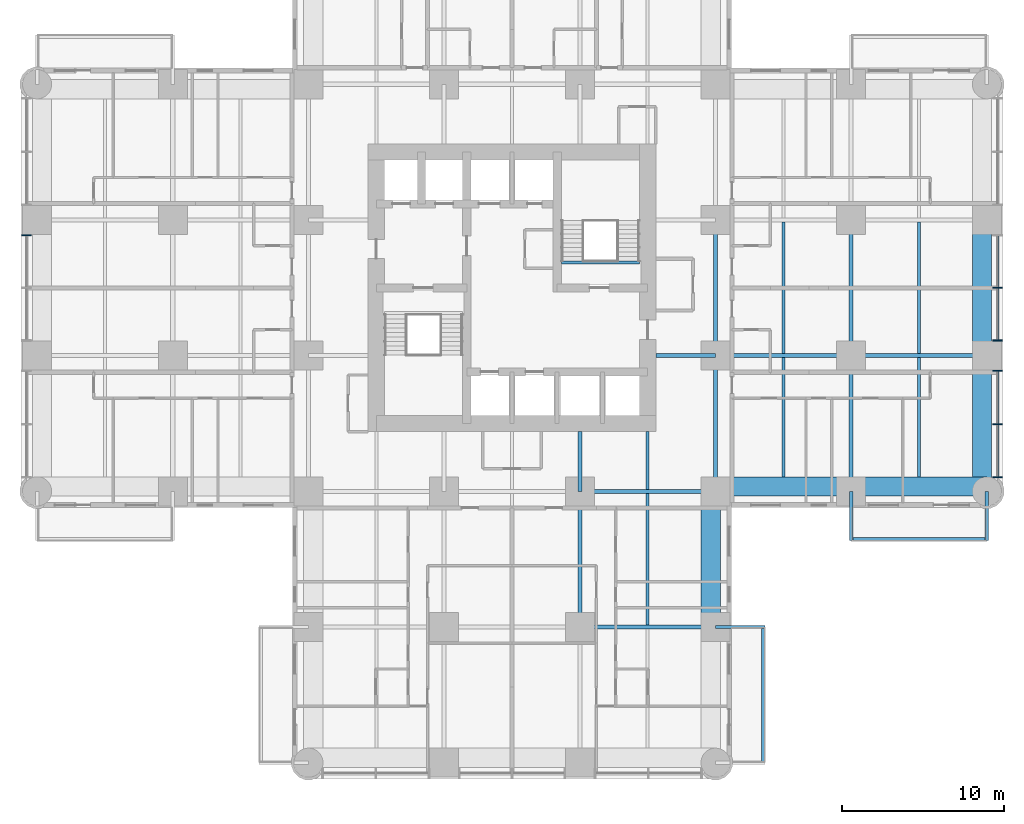
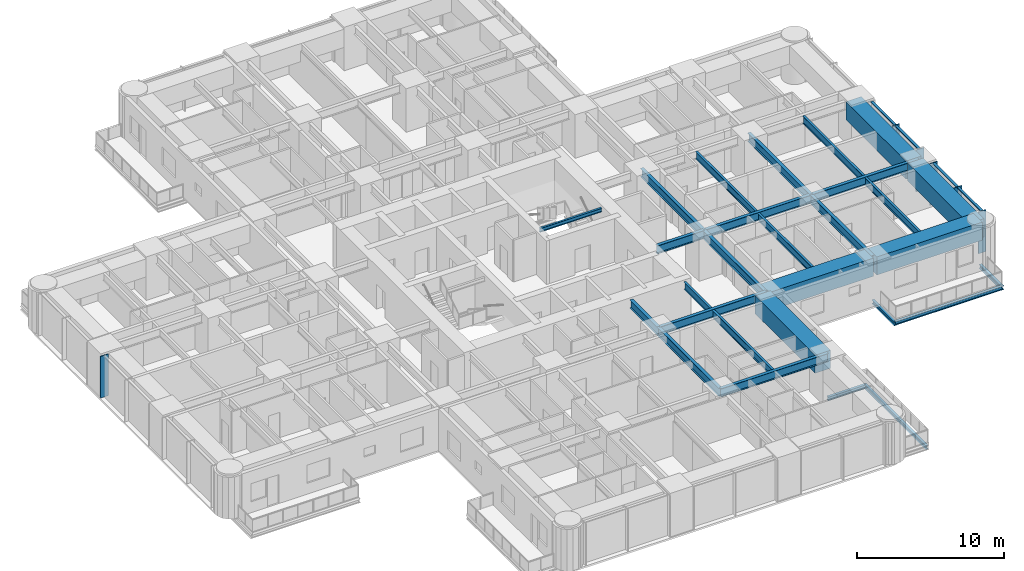
# One storey, part 3 of 17: 28 beams, 10 members, 2 elements without a shape of their own.
"""IFC4 building model written with IfcOpenShell, lengths in metres."""

from ifc_helpers import new_model, si_unit, direction, frame, origin, origin_2d, place, context, subcontext, project, spatial, rectangle, i_section, extrude, material, material_profile, profile_set, type_object, element, aggregate, save


model = new_model("IFC4")

# Units and contexts
model_context = context("Model", 3, precision=1e-05, world=origin(), true_north=direction((0.0, 1.0)))
body_context = subcontext(model_context, "Body", "Model", "MODEL_VIEW")
ifc_project = project(units=[si_unit("LENGTHUNIT", "METRE"), si_unit("AREAUNIT", "SQUARE_METRE"), si_unit("VOLUMEUNIT", "CUBIC_METRE"), si_unit("PLANEANGLEUNIT", "RADIAN"), si_unit("MASSUNIT", "GRAM", prefix="KILO")], contexts=[model_context])

# Site, building, storey
site_placement = place(None, origin())
site = spatial("IfcSite", under=ifc_project, at=site_placement, CompositionType="ELEMENT")
building_placement = place(site_placement, origin())
building = spatial("IfcBuilding", under=site, at=building_placement, Name="Torre Alcanfor", CompositionType="ELEMENT")
storey_placement = place(building_placement, frame((0.0, 0.0, 88.5)))
storey = spatial("IfcBuildingStorey", under=building, at=storey_placement, Name="L22", CompositionType="ELEMENT", Elevation=88.5)

# Beams
ifc_material_1 = material(Name="Steel ASTM A992 Grade 50", Category="steel")
ifc_material_profile_1 = material_profile(ifc_material_1, i_section(OverallWidth=0.205322265625, OverallDepth=0.309814453125, WebThickness=0.00927734375, FlangeThickness=0.016357421875, at=origin_2d()), Name="W12x50")
ifc_profile_set_1 = profile_set([ifc_material_profile_1], Name="Steel ASTM A992 Grade 50")
beam_type_1 = type_object("IfcBeamType", Name="Balcony cantilever beam W12x50", PredefinedType="BEAM", material=ifc_profile_set_1)
for number, where, z_axis, x_axis, name in (
    (1, (50.39990234375, 16.800048828125, -0.35498046875), (0.0, -1.0, 0.0), (1.0, 0.0, 0.0), "Balcony cantilever beam L22-E2 1"),
    (2, (58.800048828125, 16.800048828125, -0.35498046875), (0.0, -1.0, 0.0), (1.0, 0.0, 0.0), "Balcony cantilever beam L22-E2 2"),
    (3, (42.0, 8.39990234375, -0.35498046875), (1.0, 0.0, 0.0), (0.0, 1.0, 0.0), "Balcony cantilever beam L22-S1 1"),
):
    element("IfcBeam", number, at=place(storey_placement, frame(where, z_axis=z_axis, x_axis=x_axis)), inside=storey, type_object=beam_type_1, Name=name, PredefinedType="BEAM", context=body_context, shape_type="SweptSolid", body=[
        extrude(i_section(OverallWidth=0.205322265625, OverallDepth=0.309814453125, WebThickness=0.00927734375, FlangeThickness=0.016357421875, at=origin_2d()), origin(), (0.0, 0.0, 1.0), 3.050048828125),
    ])
ifc_material_2 = material(Name="Steel ASTM A992 Grade 50", Category="steel")
ifc_material_profile_2 = material_profile(ifc_material_2, i_section(OverallWidth=0.203369140625, OverallDepth=0.30224609375, WebThickness=0.007568359375, FlangeThickness=0.01318359375, at=origin_2d()), Name="W12x40")
ifc_profile_set_2 = profile_set([ifc_material_profile_2], Name="Steel ASTM A992 Grade 50")
beam_type_2 = type_object("IfcBeamType", Name="Balcony edge trimmer W12x40", PredefinedType="BEAM", material=ifc_profile_set_2)
beam_1_placement = place(storey_placement, frame((50.39990234375, 13.851806640625, -0.35107421875), z_axis=(1.0, 0.0, 0.0), x_axis=(0.0, 1.0, 0.0)))
element("IfcBeam", 4, at=beam_1_placement, inside=storey, type_object=beam_type_2, Name="Balcony edge trimmer L22-E2", PredefinedType="BEAM", context=body_context, shape_type="SweptSolid", body=[
    extrude(i_section(OverallWidth=0.203369140625, OverallDepth=0.30224609375, WebThickness=0.007568359375, FlangeThickness=0.01318359375, at=origin_2d()), origin(), (0.0, 0.0, 1.0), 8.400146484375),
])
beam_2_placement = place(storey_placement, frame((44.9482421875, 8.39990234375, -0.35107421875), z_axis=(0.0, -1.0, 0.0), x_axis=(1.0, 0.0, 0.0)))
element("IfcBeam", 5, at=beam_2_placement, inside=storey, type_object=beam_type_2, Name="Balcony edge trimmer L22-S1", PredefinedType="BEAM", context=body_context, shape_type="SweptSolid", body=[
    extrude(i_section(OverallWidth=0.203369140625, OverallDepth=0.30224609375, WebThickness=0.007568359375, FlangeThickness=0.01318359375, at=origin_2d()), origin(), (0.0, 0.0, 1.0), 8.39990234375),
])

# Curtain wall, member
ifc_material_3 = material(Name="Aluminium and glass", Category="aluminium")
curtain_wall_type = type_object("IfcCurtainWallType", Name="CW-A unitised apartment glazing with vertical FIN", PredefinedType="NOTDEFINED", material=ifc_material_3)
curtain_wall_1_placement = place(storey_placement, origin())
curtain_wall_1 = element("IfcCurtainWall", 6, at=curtain_wall_1_placement, inside=storey, type_object=curtain_wall_type, Name="Curtain wall CW-A L22 2", PredefinedType="NOTDEFINED")
ifc_material_4 = material(Name="Bronze anodised aluminium", Category="aluminium")
ifc_material_profile_3 = material_profile(ifc_material_4, rectangle(XDim=0.60009765625, YDim=0.06494140625, at=origin_2d()), Name="CW-A mullion 65x600")
ifc_profile_set_3 = profile_set([ifc_material_profile_3], Name="Bronze anodised aluminium")
member_type_1 = type_object("IfcMemberType", Name="CW-A mullion with vertical FIN 65x600", PredefinedType="MULLION", material=ifc_profile_set_3)
member_1_placement = place(storey_placement, frame((-0.64990234375, 32.66259765625, 0.0), z_axis=(0.0, 0.0, 1.0), x_axis=(1.0, 0.0, 0.0)))
member_1 = element("IfcMember", 7, at=member_1_placement, type_object=member_type_1, Name="CW-A mullion 2.1", PredefinedType="MULLION", context=body_context, shape_type="SweptSolid", body=[
    extrude(rectangle(XDim=0.60009765625, YDim=0.06494140625, at=origin_2d()), origin(), (0.0, 0.0, 1.0), 3.449951171875),
])
aggregate(curtain_wall_1, [member_1])

# Curtain wall, members
curtain_wall_2_placement = place(storey_placement, origin())
curtain_wall_2 = element("IfcCurtainWall", 8, at=curtain_wall_2_placement, inside=storey, type_object=curtain_wall_type, Name="Curtain wall CW-A L22 8", PredefinedType="NOTDEFINED")
member_2_placement = place(storey_placement, frame((59.449951171875, 17.6669921875, 0.0), z_axis=(0.0, 0.0, 1.0), x_axis=(-1.0, 0.0, 0.0)))
member_2 = element("IfcMember", 9, at=member_2_placement, type_object=member_type_1, Name="CW-A mullion 1.1", PredefinedType="MULLION", context=body_context, shape_type="SweptSolid", body=[
    extrude(rectangle(XDim=0.60009765625, YDim=0.06494140625, at=origin_2d()), origin(), (0.0, 0.0, 1.0), 3.449951171875),
])
member_3_placement = place(storey_placement, frame((59.449951171875, 20.96484375, 0.0), z_axis=(0.0, 0.0, 1.0), x_axis=(-1.0, 0.0, 0.0)))
member_3 = element("IfcMember", 10, at=member_3_placement, type_object=member_type_1, Name="CW-A mullion 1.2", PredefinedType="MULLION", context=body_context, shape_type="SweptSolid", body=[
    extrude(rectangle(XDim=0.60009765625, YDim=0.06494140625, at=origin_2d()), origin(), (0.0, 0.0, 1.0), 3.449951171875),
])
member_4_placement = place(storey_placement, frame((59.449951171875, 24.262451171875, 0.0), z_axis=(0.0, 0.0, 1.0), x_axis=(-1.0, 0.0, 0.0)))
member_4 = element("IfcMember", 11, at=member_4_placement, type_object=member_type_1, Name="CW-A mullion 1.3", PredefinedType="MULLION", context=body_context, shape_type="SweptSolid", body=[
    extrude(rectangle(XDim=0.60009765625, YDim=0.06494140625, at=origin_2d()), origin(), (0.0, 0.0, 1.0), 3.449951171875),
])
member_5_placement = place(storey_placement, frame((59.449951171875, 26.137451171875, 0.0), z_axis=(0.0, 0.0, 1.0), x_axis=(-1.0, 0.0, 0.0)))
member_5 = element("IfcMember", 12, at=member_5_placement, type_object=member_type_1, Name="CW-A mullion 2.1", PredefinedType="MULLION", context=body_context, shape_type="SweptSolid", body=[
    extrude(rectangle(XDim=0.60009765625, YDim=0.06494140625, at=origin_2d()), origin(), (0.0, 0.0, 1.0), 3.449951171875),
])
member_6_placement = place(storey_placement, frame((59.449951171875, 29.39990234375, 0.0), z_axis=(0.0, 0.0, 1.0), x_axis=(-1.0, 0.0, 0.0)))
member_6 = element("IfcMember", 13, at=member_6_placement, type_object=member_type_1, Name="CW-A mullion 2.2", PredefinedType="MULLION", context=body_context, shape_type="SweptSolid", body=[
    extrude(rectangle(XDim=0.60009765625, YDim=0.06494140625, at=origin_2d()), origin(), (0.0, 0.0, 1.0), 3.449951171875),
])
ifc_material_5 = material(Name="Extruded aluminium", Category="aluminium")
ifc_material_profile_4 = material_profile(ifc_material_5, rectangle(XDim=0.199951171875, YDim=0.06494140625, at=origin_2d()), Name="CW-A transom 200x65")
ifc_profile_set_4 = profile_set([ifc_material_profile_4], Name="Extruded aluminium")
member_type_2 = type_object("IfcMemberType", Name="CW-A transom 65x200", PredefinedType="USERDEFINED", material=ifc_profile_set_4)
member_7_placement = place(storey_placement, frame((59.449951171875, 17.699462890625, 3.41748046875), z_axis=(0.0, 1.0, 0.0), x_axis=(-1.0, 0.0, 0.0)))
member_7 = element("IfcMember", 14, at=member_7_placement, type_object=member_type_2, Name="CW-A transom 1.1.2", ObjectType="TRANSOM", PredefinedType="USERDEFINED", context=body_context, shape_type="SweptSolid", body=[
    extrude(rectangle(XDim=0.199951171875, YDim=0.06494140625, at=origin_2d()), origin(), (0.0, 0.0, 1.0), 3.232666015625),
])
member_8_placement = place(storey_placement, frame((59.449951171875, 20.997314453125, 3.41748046875), z_axis=(0.0, 1.0, 0.0), x_axis=(-1.0, 0.0, 0.0)))
member_8 = element("IfcMember", 15, at=member_8_placement, type_object=member_type_2, Name="CW-A transom 1.2.2", ObjectType="TRANSOM", PredefinedType="USERDEFINED", context=body_context, shape_type="SweptSolid", body=[
    extrude(rectangle(XDim=0.199951171875, YDim=0.06494140625, at=origin_2d()), origin(), (0.0, 0.0, 1.0), 3.232666015625),
])
member_9_placement = place(storey_placement, frame((59.449951171875, 26.169921875, 3.41748046875), z_axis=(0.0, 1.0, 0.0), x_axis=(-1.0, 0.0, 0.0)))
member_9 = element("IfcMember", 16, at=member_9_placement, type_object=member_type_2, Name="CW-A transom 2.1.2", ObjectType="TRANSOM", PredefinedType="USERDEFINED", context=body_context, shape_type="SweptSolid", body=[
    extrude(rectangle(XDim=0.199951171875, YDim=0.06494140625, at=origin_2d()), origin(), (0.0, 0.0, 1.0), 3.197509765625),
])
member_10_placement = place(storey_placement, frame((59.449951171875, 29.4326171875, 3.41748046875), z_axis=(0.0, 1.0, 0.0), x_axis=(-1.0, 0.0, 0.0)))
member_10 = element("IfcMember", 17, at=member_10_placement, type_object=member_type_2, Name="CW-A transom 2.2.2", ObjectType="TRANSOM", PredefinedType="USERDEFINED", context=body_context, shape_type="SweptSolid", body=[
    extrude(rectangle(XDim=0.199951171875, YDim=0.06494140625, at=origin_2d()), origin(), (0.0, 0.0, 1.0), 3.197265625),
])
aggregate(curtain_wall_2, [member_2, member_3, member_4, member_7, member_8, member_5, member_6, member_9, member_10])

# Beams
ifc_material_6 = material(Name="Steel ASTM A992 Grade 50", Category="steel")
ifc_material_profile_5 = material_profile(ifc_material_6, i_section(OverallWidth=0.25390625, OverallDepth=0.683349609375, WebThickness=0.012451171875, FlangeThickness=0.01904296875, at=origin_2d()), Name="W27x94")
ifc_profile_set_5 = profile_set([ifc_material_profile_5], Name="Steel ASTM A992 Grade 50")
beam_type_3 = type_object("IfcBeamType", Name="Girder W27x94", PredefinedType="BEAM", material=ifc_profile_set_5)
for number, where, z_axis, x_axis, name in (
    (18, (33.60009765625, 8.39990234375, 3.1083984375), (1.0, 0.0, 0.0), (0.0, 1.0, 0.0), "Beam 5D-6D under L23"),
    (19, (33.60009765625, 16.800048828125, 3.1083984375), (1.0, 0.0, 0.0), (0.0, 1.0, 0.0), "Beam 5E-6E under L23"),
    (20, (42.0, 25.199951171875, 3.1083984375), (1.0, 0.0, 0.0), (0.0, 1.0, 0.0), "Beam 6F-7F under L23"),
):
    element("IfcBeam", number, at=place(storey_placement, frame(where, z_axis=z_axis, x_axis=x_axis)), inside=storey, type_object=beam_type_3, Name=name, PredefinedType="BEAM", context=body_context, shape_type="SweptSolid", body=[
        extrude(i_section(OverallWidth=0.25390625, OverallDepth=0.683349609375, WebThickness=0.012451171875, FlangeThickness=0.01904296875, at=origin_2d()), origin(), (0.0, 0.0, 1.0), 8.39990234375),
    ])
for number, where, z_axis, x_axis, name in (
    (21, (50.39990234375, 25.199951171875, 3.1083984375), (1.0, 0.0, 0.0), (0.0, 1.0, 0.0), "Beam 7F-8F under L23"),
    (22, (33.60009765625, 8.39990234375, 3.1083984375), (0.0, 1.0, 0.0), (-1.0, 0.0, 0.0), "Beam 5D-5E under L23"),
):
    element("IfcBeam", number, at=place(storey_placement, frame(where, z_axis=z_axis, x_axis=x_axis)), inside=storey, type_object=beam_type_3, Name=name, PredefinedType="BEAM", context=body_context, shape_type="SweptSolid", body=[
        extrude(i_section(OverallWidth=0.25390625, OverallDepth=0.683349609375, WebThickness=0.012451171875, FlangeThickness=0.01904296875, at=origin_2d()), origin(), (0.0, 0.0, 1.0), 8.400146484375),
    ])
beam_3_placement = place(storey_placement, frame((42.0, 16.800048828125, 3.1083984375), z_axis=(0.0, 1.0, 0.0), x_axis=(-1.0, 0.0, 0.0)))
element("IfcBeam", 23, at=beam_3_placement, inside=storey, type_object=beam_type_3, Name="Beam 6E-6F under L23", PredefinedType="BEAM", context=body_context, shape_type="SweptSolid", body=[
    extrude(i_section(OverallWidth=0.25390625, OverallDepth=0.683349609375, WebThickness=0.012451171875, FlangeThickness=0.01904296875, at=origin_2d()), origin(), (0.0, 0.0, 1.0), 8.39990234375),
])
beam_4_placement = place(storey_placement, frame((42.0, 25.199951171875, 3.1083984375), z_axis=(0.0, 1.0, 0.0), x_axis=(-1.0, 0.0, 0.0)))
element("IfcBeam", 24, at=beam_4_placement, inside=storey, type_object=beam_type_3, Name="Beam 6F-6G under L23", PredefinedType="BEAM", context=body_context, shape_type="SweptSolid", body=[
    extrude(i_section(OverallWidth=0.25390625, OverallDepth=0.683349609375, WebThickness=0.012451171875, FlangeThickness=0.01904296875, at=origin_2d()), origin(), (0.0, 0.0, 1.0), 8.400146484375),
])
beam_5_placement = place(storey_placement, frame((50.39990234375, 16.800048828125, 3.1083984375), z_axis=(0.0, 1.0, 0.0), x_axis=(-1.0, 0.0, 0.0)))
element("IfcBeam", 25, at=beam_5_placement, inside=storey, type_object=beam_type_3, Name="Beam 7E-7F under L23", PredefinedType="BEAM", context=body_context, shape_type="SweptSolid", body=[
    extrude(i_section(OverallWidth=0.25390625, OverallDepth=0.683349609375, WebThickness=0.012451171875, FlangeThickness=0.01904296875, at=origin_2d()), origin(), (0.0, 0.0, 1.0), 8.39990234375),
])
beam_6_placement = place(storey_placement, frame((50.39990234375, 25.199951171875, 3.1083984375), z_axis=(0.0, 1.0, 0.0), x_axis=(-1.0, 0.0, 0.0)))
element("IfcBeam", 26, at=beam_6_placement, inside=storey, type_object=beam_type_3, Name="Beam 7F-7G under L23", PredefinedType="BEAM", context=body_context, shape_type="SweptSolid", body=[
    extrude(i_section(OverallWidth=0.25390625, OverallDepth=0.683349609375, WebThickness=0.012451171875, FlangeThickness=0.01904296875, at=origin_2d()), origin(), (0.0, 0.0, 1.0), 8.400146484375),
])
ifc_material_7 = material(Name="Steel ASTM A992 Grade 50", Category="steel")
ifc_material_profile_6 = material_profile(ifc_material_7, i_section(OverallWidth=0.25390625, OverallDepth=0.683349609375, WebThickness=0.012451171875, FlangeThickness=0.01904296875, at=origin_2d()), Name="W27x94")
ifc_profile_set_6 = profile_set([ifc_material_profile_6], Name="Steel ASTM A992 Grade 50")
beam_type_4 = type_object("IfcBeamType", Name="Girder, part bay W27x94", PredefinedType="BEAM", material=ifc_profile_set_6)
for number, where, z_axis, x_axis, name in (
    (27, (33.60009765625, 16.800048828125, 3.1083984375), (0.0, 1.0, 0.0), (-1.0, 0.0, 0.0), "Beam 5E-520_5 under L23"),
    (28, (42.0, 25.199951171875, 3.1083984375), (-1.0, 0.0, 0.0), (0.0, -1.0, 0.0), "Beam 6F-38_3F under L23"),
):
    element("IfcBeam", number, at=place(storey_placement, frame(where, z_axis=z_axis, x_axis=x_axis)), inside=storey, type_object=beam_type_4, Name=name, PredefinedType="BEAM", context=body_context, shape_type="SweptSolid", body=[
        extrude(i_section(OverallWidth=0.25390625, OverallDepth=0.683349609375, WebThickness=0.012451171875, FlangeThickness=0.01904296875, at=origin_2d()), origin(), (0.0, 0.0, 1.0), 3.699951171875),
    ])
ifc_material_8 = material(Name="Concrete f'c 70 MPa", Category="concrete")
ifc_material_profile_7 = material_profile(ifc_material_8, rectangle(XDim=1.199951171875, YDim=1.5, at=origin_2d()), Name="1200x1500")
ifc_profile_set_7 = profile_set([ifc_material_profile_7], Name="Concrete f'c 70 MPa")
beam_type_5 = type_object("IfcBeamType", Name="RC perimeter beam 1200x1500", PredefinedType="BEAM", material=ifc_profile_set_7)
beam_7_placement = place(storey_placement, frame((42.126953125, 17.10009765625, 2.699951171875), z_axis=(1.0, 0.0, 0.0), x_axis=(0.0, 1.0, 0.0)))
element("IfcBeam", 29, at=beam_7_placement, inside=storey, type_object=beam_type_5, Name="Beam 6E-7E under L23", PredefinedType="BEAM", context=body_context, shape_type="SweptSolid", body=[
    extrude(rectangle(XDim=1.199951171875, YDim=1.5, at=origin_2d()), origin(), (0.0, 0.0, 1.0), 8.14599609375),
])
beam_8_placement = place(storey_placement, frame((50.527099609375, 17.10009765625, 2.699951171875), z_axis=(1.0, 0.0, 0.0), x_axis=(0.0, 1.0, 0.0)))
element("IfcBeam", 30, at=beam_8_placement, inside=storey, type_object=beam_type_5, Name="Beam 7E-8E under L23", PredefinedType="BEAM", context=body_context, shape_type="SweptSolid", body=[
    extrude(rectangle(XDim=1.199951171875, YDim=1.5, at=origin_2d()), origin(), (0.0, 0.0, 1.0), 8.27294921875),
])
beam_9_placement = place(storey_placement, frame((41.699951171875, 8.527099609375, 2.699951171875), z_axis=(0.0, 1.0, 0.0), x_axis=(-1.0, 0.0, 0.0)))
element("IfcBeam", 31, at=beam_9_placement, inside=storey, type_object=beam_type_5, Name="Beam 6D-6E under L23", PredefinedType="BEAM", context=body_context, shape_type="SweptSolid", body=[
    extrude(rectangle(XDim=1.199951171875, YDim=1.5, at=origin_2d()), origin(), (0.0, 0.0, 1.0), 8.14599609375),
])
beam_10_placement = place(storey_placement, frame((58.5, 16.800048828125, 2.699951171875), z_axis=(0.0, 1.0, 0.0), x_axis=(-1.0, 0.0, 0.0)))
element("IfcBeam", 32, at=beam_10_placement, inside=storey, type_object=beam_type_5, Name="Beam 8E-8F under L23", PredefinedType="BEAM", context=body_context, shape_type="SweptSolid", body=[
    extrude(rectangle(XDim=1.199951171875, YDim=1.5, at=origin_2d()), origin(), (0.0, 0.0, 1.0), 8.27294921875),
])
beam_11_placement = place(storey_placement, frame((58.5, 25.326904296875, 2.699951171875), z_axis=(0.0, 1.0, 0.0), x_axis=(-1.0, 0.0, 0.0)))
element("IfcBeam", 33, at=beam_11_placement, inside=storey, type_object=beam_type_5, Name="Beam 8F-8G under L23", PredefinedType="BEAM", context=body_context, shape_type="SweptSolid", body=[
    extrude(rectangle(XDim=1.199951171875, YDim=1.5, at=origin_2d()), origin(), (0.0, 0.0, 1.0), 8.14599609375),
])
ifc_material_9 = material(Name="Steel ASTM A992 Grade 50", Category="steel")
ifc_material_profile_8 = material_profile(ifc_material_9, i_section(OverallWidth=0.1787109375, OverallDepth=0.60205078125, WebThickness=0.010986328125, FlangeThickness=0.014892578125, at=origin_2d()), Name="W24x62")
ifc_profile_set_8 = profile_set([ifc_material_profile_8], Name="Steel ASTM A992 Grade 50")
beam_type_6 = type_object("IfcBeamType", Name="Secondary beam W24x62", PredefinedType="BEAM", material=ifc_profile_set_8)
beam_12_placement = place(storey_placement, frame((37.800048828125, 8.527099609375, 3.14892578125), z_axis=(0.0, 1.0, 0.0), x_axis=(-1.0, 0.0, 0.0)))
element("IfcBeam", 34, at=beam_12_placement, inside=storey, type_object=beam_type_6, Name="Beam 37_8D-37_8E under L23", PredefinedType="BEAM", context=body_context, shape_type="SweptSolid", body=[
    extrude(i_section(OverallWidth=0.1787109375, OverallDepth=0.60205078125, WebThickness=0.010986328125, FlangeThickness=0.014892578125, at=origin_2d()), origin(), (0.0, 0.0, 1.0), 8.14599609375),
])
beam_13_placement = place(storey_placement, frame((46.199951171875, 17.699951171875, 3.14892578125), z_axis=(0.0, 1.0, 0.0), x_axis=(-1.0, 0.0, 0.0)))
element("IfcBeam", 35, at=beam_13_placement, inside=storey, type_object=beam_type_6, Name="Beam 46_2E-46_2F under L23", PredefinedType="BEAM", context=body_context, shape_type="SweptSolid", body=[
    extrude(i_section(OverallWidth=0.1787109375, OverallDepth=0.60205078125, WebThickness=0.010986328125, FlangeThickness=0.014892578125, at=origin_2d()), origin(), (0.0, 0.0, 1.0), 7.373046875),
])
beam_14_placement = place(storey_placement, frame((46.199951171875, 25.326904296875, 3.14892578125), z_axis=(0.0, 1.0, 0.0), x_axis=(-1.0, 0.0, 0.0)))
element("IfcBeam", 36, at=beam_14_placement, inside=storey, type_object=beam_type_6, Name="Beam 46_2F-46_2G under L23", PredefinedType="BEAM", context=body_context, shape_type="SweptSolid", body=[
    extrude(i_section(OverallWidth=0.1787109375, OverallDepth=0.60205078125, WebThickness=0.010986328125, FlangeThickness=0.014892578125, at=origin_2d()), origin(), (0.0, 0.0, 1.0), 8.14599609375),
])
beam_15_placement = place(storey_placement, frame((54.60009765625, 17.699951171875, 3.14892578125), z_axis=(0.0, 1.0, 0.0), x_axis=(-1.0, 0.0, 0.0)))
element("IfcBeam", 37, at=beam_15_placement, inside=storey, type_object=beam_type_6, Name="Beam 54_6E-54_6F under L23", PredefinedType="BEAM", context=body_context, shape_type="SweptSolid", body=[
    extrude(i_section(OverallWidth=0.1787109375, OverallDepth=0.60205078125, WebThickness=0.010986328125, FlangeThickness=0.014892578125, at=origin_2d()), origin(), (0.0, 0.0, 1.0), 7.373046875),
])
beam_16_placement = place(storey_placement, frame((54.60009765625, 25.326904296875, 3.14892578125), z_axis=(0.0, 1.0, 0.0), x_axis=(-1.0, 0.0, 0.0)))
element("IfcBeam", 38, at=beam_16_placement, inside=storey, type_object=beam_type_6, Name="Beam 54_6F-54_6G under L23", PredefinedType="BEAM", context=body_context, shape_type="SweptSolid", body=[
    extrude(i_section(OverallWidth=0.1787109375, OverallDepth=0.60205078125, WebThickness=0.010986328125, FlangeThickness=0.014892578125, at=origin_2d()), origin(), (0.0, 0.0, 1.0), 8.14599609375),
])
ifc_material_10 = material(Name="Steel ASTM A992 Grade 50", Category="steel")
ifc_material_profile_9 = material_profile(ifc_material_10, i_section(OverallWidth=0.1787109375, OverallDepth=0.60205078125, WebThickness=0.010986328125, FlangeThickness=0.014892578125, at=origin_2d()), Name="W24x62")
ifc_profile_set_9 = profile_set([ifc_material_profile_9], Name="Steel ASTM A992 Grade 50")
beam_type_7 = type_object("IfcBeamType", Name="Secondary beam, part bay W24x62", PredefinedType="BEAM", material=ifc_profile_set_9)
beam_17_placement = place(storey_placement, frame((37.800048828125, 16.927001953125, 3.14892578125), z_axis=(0.0, 1.0, 0.0), x_axis=(-1.0, 0.0, 0.0)))
element("IfcBeam", 39, at=beam_17_placement, inside=storey, type_object=beam_type_7, Name="Beam 37_8E-37_820_5 under L23", PredefinedType="BEAM", context=body_context, shape_type="SweptSolid", body=[
    extrude(i_section(OverallWidth=0.1787109375, OverallDepth=0.60205078125, WebThickness=0.010986328125, FlangeThickness=0.014892578125, at=origin_2d()), origin(), (0.0, 0.0, 1.0), 3.572998046875),
])
ifc_material_11 = material(Name="Steel ASTM A992 Grade 50", Category="steel")
ifc_material_profile_10 = material_profile(ifc_material_11, i_section(OverallWidth=0.164794921875, OverallDepth=0.309814453125, WebThickness=0.005859375, FlangeThickness=0.009765625, at=origin_2d()), Name="W12x26")
ifc_profile_set_10 = profile_set([ifc_material_profile_10], Name="Steel ASTM A992 Grade 50")
beam_type_8 = type_object("IfcBeamType", Name="Stair landing beam W12x26", PredefinedType="BEAM", material=ifc_profile_set_10)
beam_18_placement = place(storey_placement, frame((32.449951171875, 30.962646484375, 3.2451171875), z_axis=(1.0, 0.0, 0.0), x_axis=(0.0, 1.0, 0.0)))
element("IfcBeam", 40, at=beam_18_placement, inside=storey, type_object=beam_type_8, Name="Landing trimmer S2 L23", PredefinedType="BEAM", context=body_context, shape_type="SweptSolid", body=[
    extrude(i_section(OverallWidth=0.164794921875, OverallDepth=0.309814453125, WebThickness=0.005859375, FlangeThickness=0.009765625, at=origin_2d()), origin(), (0.0, 0.0, 1.0), 4.85009765625),
])

save(model, "model.ifc")
